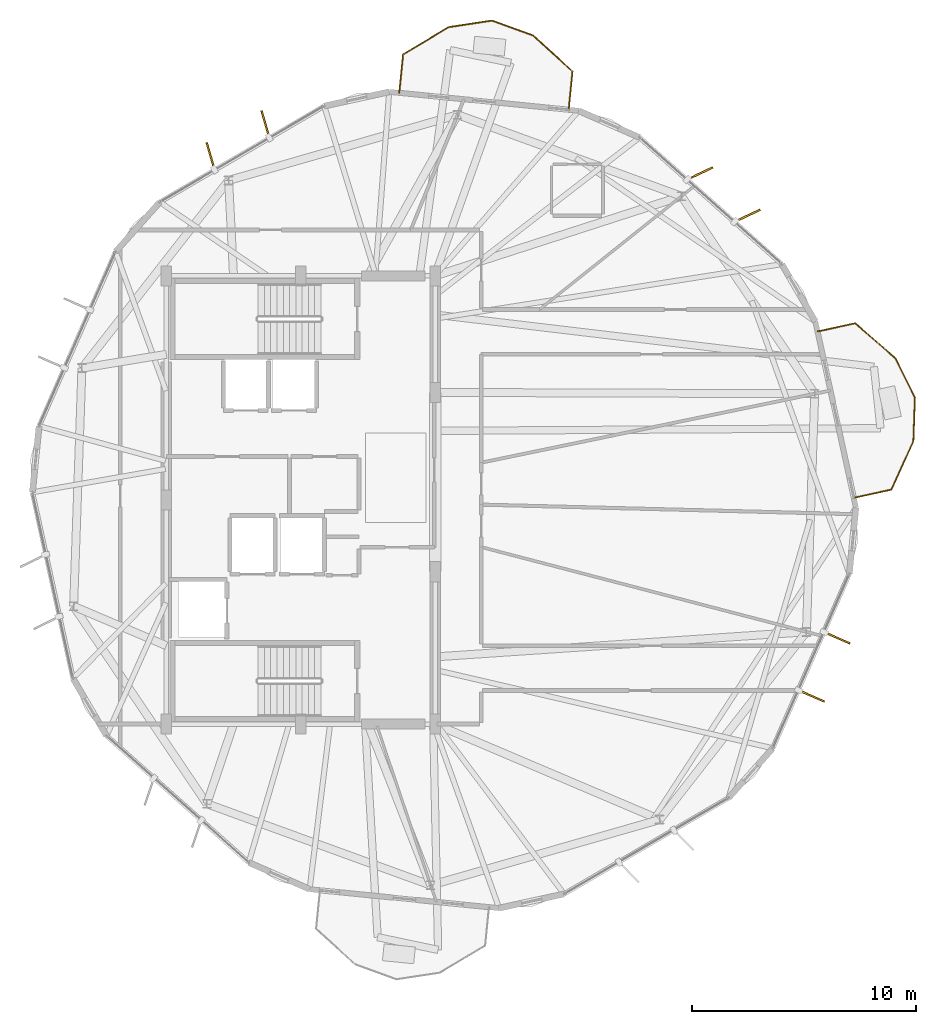
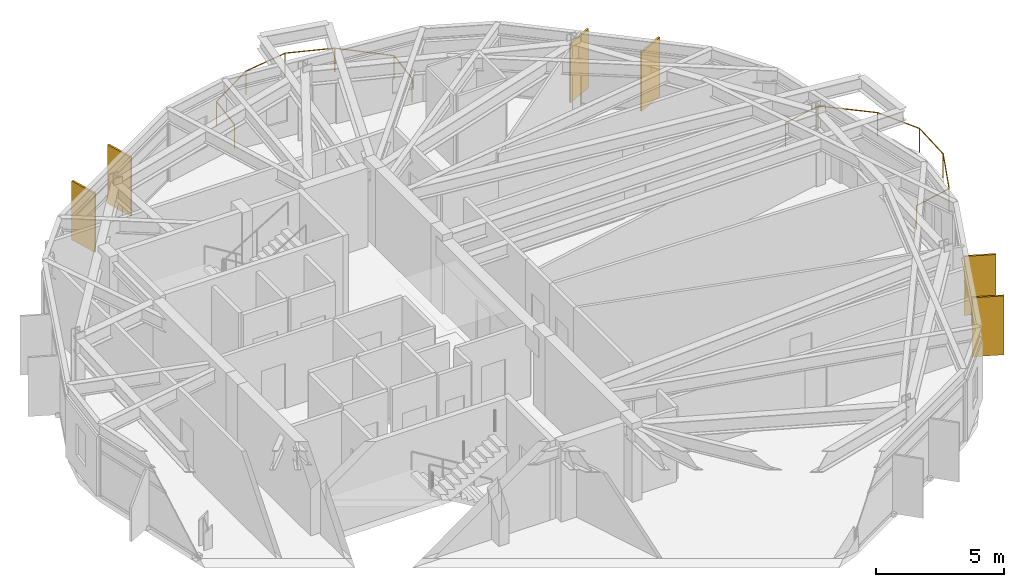
# One storey, part 25 of 25: 6 shading devices, 2 railings.
"""IFC4 building model written with IfcOpenShell, lengths in metres."""

from ifc_helpers import new_model, si_unit, direction, frame, origin, origin_2d, place, context, subcontext, project, spatial, rectangle, circle, extrude, material, layer, layer_set, type_object, element, save


model = new_model("IFC4")

# Units and contexts
model_context = context("Model", 3, precision=1e-05, world=origin(), true_north=direction((0.0, 1.0)))
body_context = subcontext(model_context, "Body", "Model", "MODEL_VIEW")
ifc_project = project(units=[si_unit("LENGTHUNIT", "METRE"), si_unit("AREAUNIT", "SQUARE_METRE"), si_unit("VOLUMEUNIT", "CUBIC_METRE"), si_unit("PLANEANGLEUNIT", "RADIAN"), si_unit("MASSUNIT", "GRAM", prefix="KILO")], contexts=[model_context])

# Site, building, storey
site_placement = place(None, origin())
site = spatial("IfcSite", under=ifc_project, at=site_placement, CompositionType="ELEMENT")
building_placement = place(site_placement, origin())
building = spatial("IfcBuilding", under=site, at=building_placement, Name="Soratama Intermodal Tower", CompositionType="ELEMENT")
storey_placement = place(building_placement, frame((0.0, 0.0, 276.25)))
storey = spatial("IfcBuildingStorey", under=building, at=storey_placement, Name="L70", CompositionType="ELEMENT", Elevation=276.25)

# Railings
ifc_material_1 = material(Name="Laminated glass and stainless steel balustrade", Category="steel")
railing_type = type_object("IfcRailingType", Name="RL-BAL-1150", PredefinedType="BALUSTRADE", material=ifc_material_1)
railing_1_placement = place(storey_placement, frame((61.659912109375, 32.521484375, 0.0)))
element("IfcRailing", 1, at=railing_1_placement, inside=storey, type_object=railing_type, Name="L70 Balcony Balustrade 1", PredefinedType="BALUSTRADE", context=body_context, shape_type="SweptSolid", body=[
    extrude(circle(Radius=0.02392578125, at=origin_2d()), frame((0.0, 0.0, 1.1259765625), z_axis=(0.977044237164, 0.213036519463, 0.0), x_axis=(-0.213036519463, 0.977044237164, 0.0)), (0.0, 0.0, 1.0), 1.72021484375),
    extrude(circle(Radius=0.02392578125, at=origin_2d()), frame((1.6806640625, 0.366455078125, 1.1259765625), z_axis=(0.754507888972, -0.656290976229, 0.0), x_axis=(0.656290976229, 0.754507888972, 0.0)), (0.0, 0.0, 1.0), 2.368896484375),
    extrude(circle(Radius=0.02392578125, at=origin_2d()), frame((3.468017578125, -1.188232421875, 1.1259765625), z_axis=(0.447960455293, -0.894053371166, 0.0), x_axis=(0.894053371166, 0.447960455293, 0.0)), (0.0, 0.0, 1.0), 1.9609375),
    extrude(circle(Radius=0.02392578125, at=origin_2d()), frame((4.346435546875, -2.94140625, 1.1259765625), z_axis=(-0.035114140664, -0.999383308408, 0.0), x_axis=(0.999383308408, -0.035114140664, 0.0)), (0.0, 0.0, 1.0), 1.960693359375),
    extrude(circle(Radius=0.02392578125, at=origin_2d()), frame((4.277587890625, -4.90087890625, 1.1259765625), z_axis=(-0.412801174141, -0.910821162813, 0.0), x_axis=(0.910821162813, -0.412801174141, 0.0)), (0.0, 0.0, 1.0), 2.369140625),
    extrude(circle(Radius=0.02392578125, at=origin_2d()), frame((3.299560546875, -7.058837890625, 1.1259765625), z_axis=(-0.977044237164, -0.213036519463, 0.0), x_axis=(0.213036519463, -0.977044237164, 0.0)), (0.0, 0.0, 1.0), 1.72021484375),
    extrude(circle(Radius=0.02099609375, at=origin_2d()), origin(), (0.0, 0.0, 1.0), 1.101806640625),
    extrude(circle(Radius=0.02099609375, at=origin_2d()), frame((1.6806640625, 0.366455078125, 0.0)), (0.0, 0.0, 1.0), 1.101806640625),
    extrude(circle(Radius=0.02099609375, at=origin_2d()), frame((3.468017578125, -1.188232421875, 0.0)), (0.0, 0.0, 1.0), 1.101806640625),
    extrude(circle(Radius=0.02099609375, at=origin_2d()), frame((4.346435546875, -2.94140625, 0.0)), (0.0, 0.0, 1.0), 1.101806640625),
    extrude(circle(Radius=0.02099609375, at=origin_2d()), frame((4.277587890625, -4.90087890625, 0.0)), (0.0, 0.0, 1.0), 1.101806640625),
    extrude(circle(Radius=0.02099609375, at=origin_2d()), frame((3.299560546875, -7.058837890625, 0.0)), (0.0, 0.0, 1.0), 1.101806640625),
    extrude(circle(Radius=0.02099609375, at=origin_2d()), frame((1.618896484375, -7.42529296875, 0.0)), (0.0, 0.0, 1.0), 1.101806640625),
])
railing_2_placement = place(storey_placement, frame((42.99462890625, 43.1689453125, 0.0)))
element("IfcRailing", 2, at=railing_2_placement, inside=storey, type_object=railing_type, Name="L70 Balcony Balustrade 2", PredefinedType="BALUSTRADE", context=body_context, shape_type="SweptSolid", body=[
    extrude(circle(Radius=0.02392578125, at=origin_2d()), frame((0.0, 0.0, 1.1259765625), z_axis=(0.099363176054, 0.995051234482, 0.0), x_axis=(-0.995051234482, 0.099363176054, 0.0)), (0.0, 0.0, 1.0), 1.719970703125),
    extrude(circle(Radius=0.02392578125, at=origin_2d()), frame((0.1708984375, 1.71142578125, 1.1259765625), z_axis=(0.857329203933, 0.514768526703, 0.0), x_axis=(-0.514768526703, 0.857329203933, 0.0)), (0.0, 0.0, 1.0), 2.368896484375),
    extrude(circle(Radius=0.02392578125, at=origin_2d()), frame((2.201904296875, 2.930908203125, 1.1259765625), z_axis=(0.988718856978, 0.149783249584, 0.0), x_axis=(-0.149783249584, 0.988718856978, 0.0)), (0.0, 0.0, 1.0), 1.9609375),
    extrude(circle(Radius=0.02392578125, at=origin_2d()), frame((4.140625, 3.224609375, 1.1259765625), z_axis=(0.939607897083, -0.342252830142, 0.0), x_axis=(0.342252830142, 0.939607897083, 0.0)), (0.0, 0.0, 1.0), 1.9609375),
    extrude(circle(Radius=0.02392578125, at=origin_2d()), frame((5.983154296875, 2.553466796875, 1.1259765625), z_axis=(0.738675101229, -0.674061640226, 0.0), x_axis=(0.674061640226, 0.738675101229, 0.0)), (0.0, 0.0, 1.0), 2.369140625),
    extrude(circle(Radius=0.02392578125, at=origin_2d()), frame((7.733154296875, 0.95654296875, 1.1259765625), z_axis=(-0.099363176054, -0.995051234482, 0.0), x_axis=(0.995051234482, -0.099363176054, 0.0)), (0.0, 0.0, 1.0), 1.719970703125),
    extrude(circle(Radius=0.02099609375, at=origin_2d()), origin(), (0.0, 0.0, 1.0), 1.101806640625),
    extrude(circle(Radius=0.02099609375, at=origin_2d()), frame((0.1708984375, 1.71142578125, 0.0)), (0.0, 0.0, 1.0), 1.101806640625),
    extrude(circle(Radius=0.02099609375, at=origin_2d()), frame((2.201904296875, 2.930908203125, 0.0)), (0.0, 0.0, 1.0), 1.101806640625),
    extrude(circle(Radius=0.02099609375, at=origin_2d()), frame((4.140625, 3.224609375, 0.0)), (0.0, 0.0, 1.0), 1.101806640625),
    extrude(circle(Radius=0.02099609375, at=origin_2d()), frame((5.983154296875, 2.553466796875, 0.0)), (0.0, 0.0, 1.0), 1.101806640625),
    extrude(circle(Radius=0.02099609375, at=origin_2d()), frame((7.733154296875, 0.95654296875, 0.0)), (0.0, 0.0, 1.0), 1.101806640625),
    extrude(circle(Radius=0.02099609375, at=origin_2d()), frame((7.562255859375, -0.7548828125, 0.0)), (0.0, 0.0, 1.0), 1.101806640625),
])

# Shading devices
ifc_material_2 = material(Name="Champagne anodised aluminium solar fin", Category="aluminium")
ifc_layer = layer(ifc_material_2, 0.080078125)
ifc_layer_set = layer_set([ifc_layer], Name="Champagne anodised aluminium solar fin")
shading_device_type = type_object("IfcShadingDeviceType", Name="SH-FIN-1250", PredefinedType="USERDEFINED", material=ifc_layer_set)
for number, where, z_axis, x_axis, name in (
    (3, (37.0224609375, 41.771484375, 0.02001953125), (0.0, 0.0, 1.0), (-0.278823498925, 0.960342364184, 0.0), "L70 Solar Fin F02-1"),
    (4, (34.576171875, 40.342041015625, 0.02001953125), (0.0, 0.0, 1.0), (-0.278823498925, 0.960342364184, 0.0), "L70 Solar Fin F02-2"),
    (5, (61.39306640625, 16.2568359375, 0.02001953125), (0.0, 0.0, 1.0), (0.91566259334, -0.401947776656, 0.0), "L70 Solar Fin F08-1"),
    (6, (62.531982421875, 18.85107421875, 0.02001953125), (0.0, 0.0, 1.0), (0.91566259334, -0.401947776656, 0.0), "L70 Solar Fin F08-2"),
    (7, (58.5341796875, 37.684814453125, 0.02001953125), (0.0, 0.0, 1.0), (0.902810575698, 0.430038445267, 0.0), "L70 Solar Fin F10-1"),
    (8, (56.418701171875, 39.569580078125, 0.02001953125), (0.0, 0.0, 1.0), (0.902810575698, 0.430038445267, 0.0), "L70 Solar Fin F10-2"),
):
    element("IfcShadingDevice", number, at=place(storey_placement, frame(where, z_axis=z_axis, x_axis=x_axis)), inside=storey, type_object=shading_device_type, Name=name, ObjectType="FIN", PredefinedType="USERDEFINED", context=body_context, shape_type="SweptSolid", body=[
        extrude(rectangle(XDim=1.25, YDim=0.080078125, at=origin_2d()), origin(), (0.0, 0.0, 1.0), 2.80908203125),
    ])

save(model, "model.ifc")
